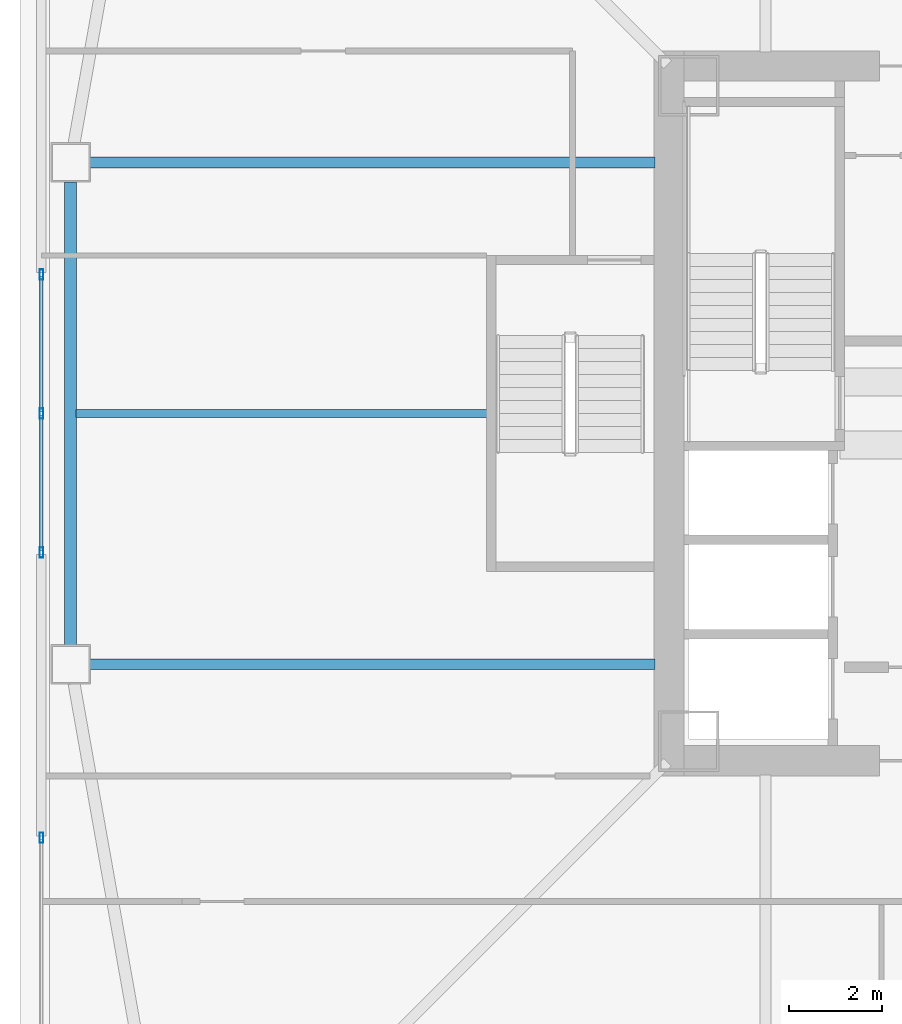
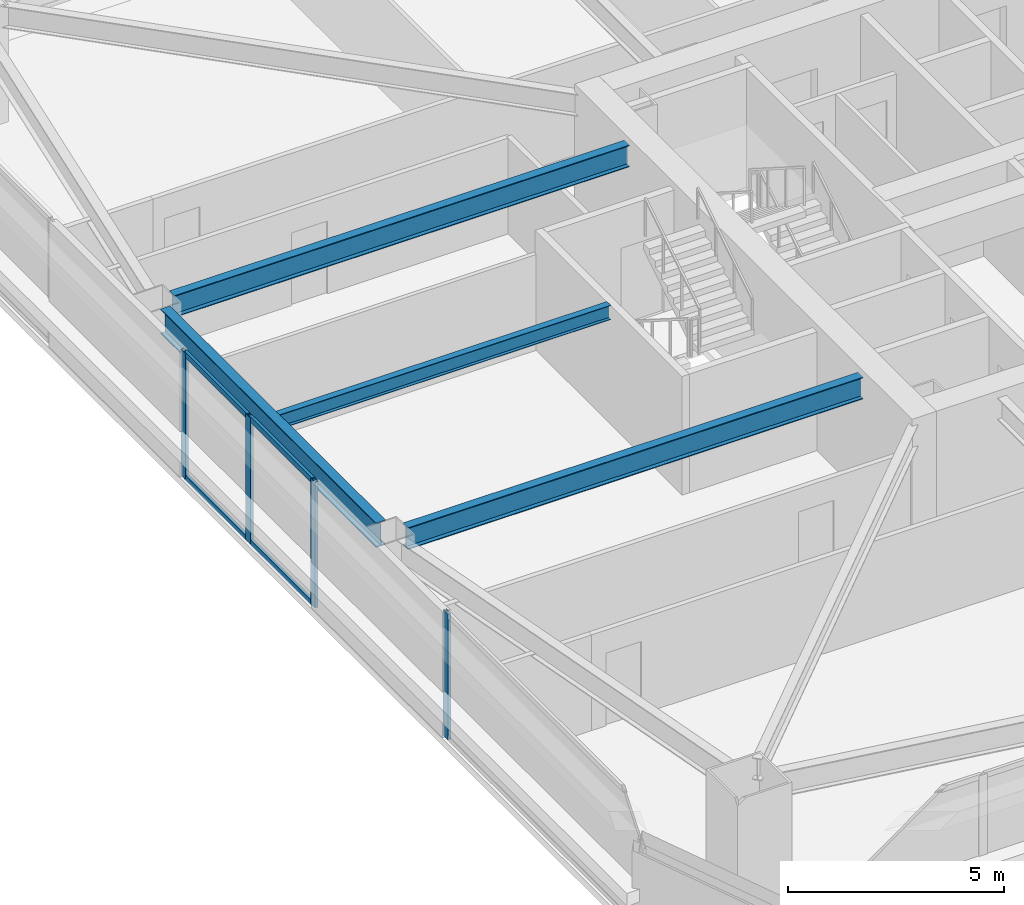
# One storey, part 6 of 44: 8 members, 4 beams, 2 elements without a shape of their own.
"""IFC4 building model written with IfcOpenShell, lengths in metres."""

from ifc_helpers import new_model, si_unit, direction, frame, origin, origin_2d, place, context, subcontext, project, spatial, hollow_rectangle, i_section, extrude, material, material_profile, profile_set, type_object, element, aggregate, save


model = new_model("IFC4")

# Units and contexts
model_context = context("Model", 3, precision=1e-05, world=origin(), true_north=direction((0.0, 1.0)))
body_context = subcontext(model_context, "Body", "Model", "MODEL_VIEW")
ifc_project = project(units=[si_unit("LENGTHUNIT", "METRE"), si_unit("AREAUNIT", "SQUARE_METRE"), si_unit("VOLUMEUNIT", "CUBIC_METRE"), si_unit("PLANEANGLEUNIT", "RADIAN"), si_unit("MASSUNIT", "GRAM", prefix="KILO")], contexts=[model_context])

# Site, building, storey
site_placement = place(None, origin())
site = spatial("IfcSite", under=ifc_project, at=site_placement, CompositionType="ELEMENT")
building_placement = place(site_placement, origin())
building = spatial("IfcBuilding", under=site, at=building_placement, Name="Tashvorn Skyway Center", CompositionType="ELEMENT")
storey_placement = place(building_placement, frame((0.0, 0.0, 95.60009765625)))
storey = spatial("IfcBuildingStorey", under=building, at=storey_placement, Name="L25", CompositionType="ELEMENT", Elevation=95.60009765625)

# Beams
ifc_material_1 = material(Name="Steel ASTM A992 Grade 50", Category="steel")
ifc_material_profile_1 = material_profile(ifc_material_1, i_section(OverallWidth=0.22998046875, OverallDepth=0.616943359375, WebThickness=0.01318359375, FlangeThickness=0.022216796875, at=origin_2d()), Name="W24X94")
ifc_profile_set_1 = profile_set([ifc_material_profile_1], Name="Steel ASTM A992 Grade 50")
beam_type_1 = type_object("IfcBeamType", Name="BM-BEAM-W24X94", PredefinedType="BEAM", material=ifc_profile_set_1)
for number, where, z_axis, x_axis, name in (
    (1, (22.070068359375, 37.39990234375, 3.04150390625), (1.0, 0.0, 0.0), (0.0, 1.0, 0.0), "Tower 1 L25 Primary Floor Girder FC-W1"),
    (2, (22.070068359375, 26.60009765625, 3.04150390625), (1.0, 0.0, 0.0), (0.0, 1.0, 0.0), "Tower 1 L25 Primary Floor Girder FC-W2"),
):
    element("IfcBeam", number, at=place(storey_placement, frame(where, z_axis=z_axis, x_axis=x_axis)), inside=storey, type_object=beam_type_1, Name=name, PredefinedType="BEAM", context=body_context, shape_type="SweptSolid", body=[
        extrude(i_section(OverallWidth=0.22998046875, OverallDepth=0.616943359375, WebThickness=0.01318359375, FlangeThickness=0.022216796875, at=origin_2d()), origin(), (0.0, 0.0, 1.0), 12.14990234375),
    ])
ifc_material_profile_2 = material_profile(ifc_material_1, i_section(OverallWidth=0.177978515625, OverallDepth=0.406005859375, WebThickness=0.0078125, FlangeThickness=0.0126953125, at=origin_2d()), Name="W16X40")
ifc_profile_set_2 = profile_set([ifc_material_profile_2], Name="Steel ASTM A992 Grade 50")
beam_type_2 = type_object("IfcBeamType", Name="BM-JOIST-W16X40", PredefinedType="JOIST", material=ifc_profile_set_2)
beam_1_placement = place(storey_placement, frame((30.610107421875, 32.0, 3.14697265625), z_axis=(-1.0, 0.0, 0.0), x_axis=(0.0, -1.0, 0.0)))
element("IfcBeam", 3, at=beam_1_placement, inside=storey, type_object=beam_type_2, Name="Tower 1 L25 Secondary Composite Joist JW", PredefinedType="JOIST", context=body_context, shape_type="SweptSolid", body=[
    extrude(i_section(OverallWidth=0.177978515625, OverallDepth=0.406005859375, WebThickness=0.0078125, FlangeThickness=0.0126953125, at=origin_2d()), origin(), (0.0, 0.0, 1.0), 8.840087890625),
])
ifc_material_profile_3 = material_profile(ifc_material_1, i_section(OverallWidth=0.256103515625, OverallDepth=0.693115234375, WebThickness=0.014404296875, FlangeThickness=0.023681640625, at=origin_2d()), Name="W27X114")
ifc_profile_set_3 = profile_set([ifc_material_profile_3], Name="Steel ASTM A992 Grade 50")
beam_type_3 = type_object("IfcBeamType", Name="BM-SPANDREL-W27X114", PredefinedType="SPANDREL", material=ifc_profile_set_3)
beam_2_placement = place(storey_placement, frame((21.64990234375, 36.97998046875, 3.00341796875), z_axis=(0.0, -1.0, 0.0), x_axis=(1.0, 0.0, 0.0)))
element("IfcBeam", 4, at=beam_2_placement, inside=storey, type_object=beam_type_3, Name="Tower 1 L25 Spandrel Beam 11", PredefinedType="SPANDREL", context=body_context, shape_type="SweptSolid", body=[
    extrude(i_section(OverallWidth=0.256103515625, OverallDepth=0.693115234375, WebThickness=0.014404296875, FlangeThickness=0.023681640625, at=origin_2d()), origin(), (0.0, 0.0, 1.0), 9.9599609375),
])

# Curtain wall, member
ifc_material_2 = material(Name="Thermally broken bronze-anodized aluminium 6063-T6", Category="aluminium")
curtain_wall_type = type_object("IfcCurtainWallType", Name="CW-CW-Z2", PredefinedType="NOTDEFINED", material=ifc_material_2)
curtain_wall_1_placement = place(storey_placement, origin())
curtain_wall_1 = element("IfcCurtainWall", 5, at=curtain_wall_1_placement, inside=storey, type_object=curtain_wall_type, Name="Tower 1 L25 West Unitised Curtain Wall Glazing Group 1", PredefinedType="NOTDEFINED")
ifc_material_profile_4 = material_profile(ifc_material_2, hollow_rectangle(XDim=0.080078125, YDim=0.219970703125, WallThickness=0.0048828125, at=origin_2d()), Name="ALU-MULL-80x220")
ifc_profile_set_4 = profile_set([ifc_material_profile_4], Name="Thermally broken bronze-anodized aluminium 6063-T6")
member_type_1 = type_object("IfcMemberType", Name="CWM-CW-Z2", PredefinedType="MULLION", material=ifc_profile_set_4)
member_1_placement = place(storey_placement, frame((21.02001953125, 22.8701171875, 0.0), z_axis=(0.0, 0.0, 1.0), x_axis=(-1.0, 0.0, 0.0)))
member_1 = element("IfcMember", 6, at=member_1_placement, type_object=member_type_1, Name="CW-Z2 mullion 2", PredefinedType="MULLION", context=body_context, shape_type="SweptSolid", body=[
    extrude(hollow_rectangle(XDim=0.080078125, YDim=0.219970703125, WallThickness=0.0048828125, at=origin_2d()), origin(), (0.0, 0.0, 1.0), 3.5498046875),
])
aggregate(curtain_wall_1, [member_1])

# Curtain wall, members
curtain_wall_2_placement = place(storey_placement, origin())
curtain_wall_2 = element("IfcCurtainWall", 7, at=curtain_wall_2_placement, inside=storey, type_object=curtain_wall_type, Name="Tower 1 L25 West Unitised Curtain Wall Glazing Group 2", PredefinedType="NOTDEFINED")
member_2_placement = place(storey_placement, frame((21.02001953125, 29.010009765625, 0.0), z_axis=(0.0, 0.0, 1.0), x_axis=(-1.0, 0.0, 0.0)))
member_2 = element("IfcMember", 8, at=member_2_placement, type_object=member_type_1, Name="CW-Z2 mullion 1", PredefinedType="MULLION", context=body_context, shape_type="SweptSolid", body=[
    extrude(hollow_rectangle(XDim=0.080078125, YDim=0.219970703125, WallThickness=0.0048828125, at=origin_2d()), origin(), (0.0, 0.0, 1.0), 3.5498046875),
])
member_3_placement = place(storey_placement, frame((21.02001953125, 32.0, 0.0), z_axis=(0.0, 0.0, 1.0), x_axis=(-1.0, 0.0, 0.0)))
member_3 = element("IfcMember", 9, at=member_3_placement, type_object=member_type_1, Name="CW-Z2 mullion 2", PredefinedType="MULLION", context=body_context, shape_type="SweptSolid", body=[
    extrude(hollow_rectangle(XDim=0.080078125, YDim=0.219970703125, WallThickness=0.0048828125, at=origin_2d()), origin(), (0.0, 0.0, 1.0), 3.5498046875),
])
member_4_placement = place(storey_placement, frame((21.02001953125, 34.989990234375, 0.0), z_axis=(0.0, 0.0, 1.0), x_axis=(-1.0, 0.0, 0.0)))
member_4 = element("IfcMember", 10, at=member_4_placement, type_object=member_type_1, Name="CW-Z2 mullion 3", PredefinedType="MULLION", context=body_context, shape_type="SweptSolid", body=[
    extrude(hollow_rectangle(XDim=0.080078125, YDim=0.219970703125, WallThickness=0.0048828125, at=origin_2d()), origin(), (0.0, 0.0, 1.0), 3.5498046875),
])
ifc_material_profile_5 = material_profile(ifc_material_2, hollow_rectangle(XDim=0.080078125, YDim=0.14990234375, WallThickness=0.00439453125, at=origin_2d()), Name="ALU-TRAN-80x150")
ifc_profile_set_5 = profile_set([ifc_material_profile_5], Name="Thermally broken bronze-anodized aluminium 6063-T6")
member_type_2 = type_object("IfcMemberType", Name="CWT-CW-Z2", PredefinedType="USERDEFINED", material=ifc_profile_set_5)
member_5_placement = place(storey_placement, frame((21.02001953125, 29.050048828125, 0.039794921875), z_axis=(0.0, 1.0, 0.0), x_axis=(-1.0, 0.0, 0.0)))
member_5 = element("IfcMember", 11, at=member_5_placement, type_object=member_type_2, Name="CW-Z2 transom 1.1", ObjectType="TRANSOM", PredefinedType="USERDEFINED", context=body_context, shape_type="SweptSolid", body=[
    extrude(hollow_rectangle(XDim=0.080078125, YDim=0.14990234375, WallThickness=0.00439453125, at=origin_2d()), origin(), (0.0, 0.0, 1.0), 2.909912109375),
])
member_6_placement = place(storey_placement, frame((21.02001953125, 29.050048828125, 3.510009765625), z_axis=(0.0, 1.0, 0.0), x_axis=(-1.0, 0.0, 0.0)))
member_6 = element("IfcMember", 12, at=member_6_placement, type_object=member_type_2, Name="CW-Z2 transom 1.2", ObjectType="TRANSOM", PredefinedType="USERDEFINED", context=body_context, shape_type="SweptSolid", body=[
    extrude(hollow_rectangle(XDim=0.080078125, YDim=0.14990234375, WallThickness=0.00439453125, at=origin_2d()), origin(), (0.0, 0.0, 1.0), 2.909912109375),
])
member_7_placement = place(storey_placement, frame((21.02001953125, 32.0400390625, 0.039794921875), z_axis=(0.0, 1.0, 0.0), x_axis=(-1.0, 0.0, 0.0)))
member_7 = element("IfcMember", 13, at=member_7_placement, type_object=member_type_2, Name="CW-Z2 transom 2.1", ObjectType="TRANSOM", PredefinedType="USERDEFINED", context=body_context, shape_type="SweptSolid", body=[
    extrude(hollow_rectangle(XDim=0.080078125, YDim=0.14990234375, WallThickness=0.00439453125, at=origin_2d()), origin(), (0.0, 0.0, 1.0), 2.909912109375),
])
member_8_placement = place(storey_placement, frame((21.02001953125, 32.0400390625, 3.510009765625), z_axis=(0.0, 1.0, 0.0), x_axis=(-1.0, 0.0, 0.0)))
member_8 = element("IfcMember", 14, at=member_8_placement, type_object=member_type_2, Name="CW-Z2 transom 2.2", ObjectType="TRANSOM", PredefinedType="USERDEFINED", context=body_context, shape_type="SweptSolid", body=[
    extrude(hollow_rectangle(XDim=0.080078125, YDim=0.14990234375, WallThickness=0.00439453125, at=origin_2d()), origin(), (0.0, 0.0, 1.0), 2.909912109375),
])
aggregate(curtain_wall_2, [member_2, member_3, member_4, member_5, member_6, member_7, member_8])

save(model, "model.ifc")
